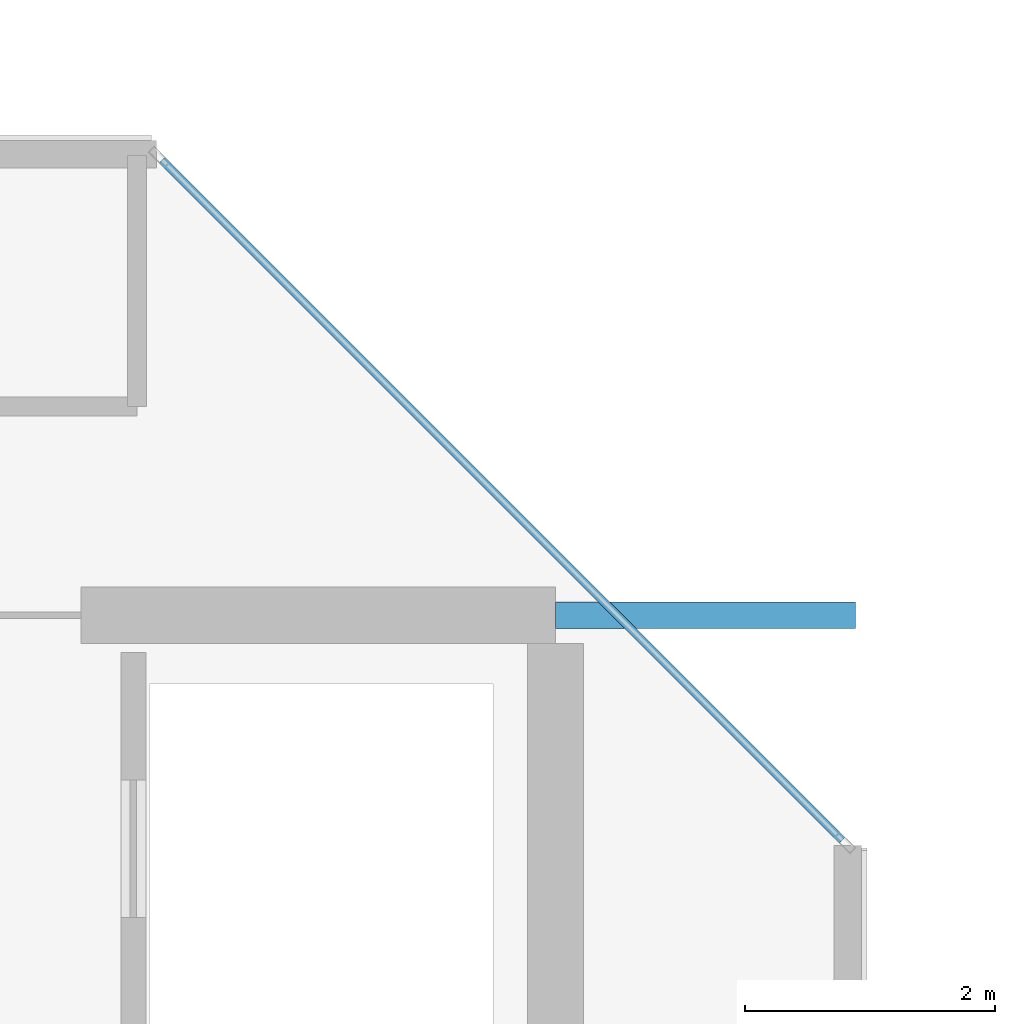
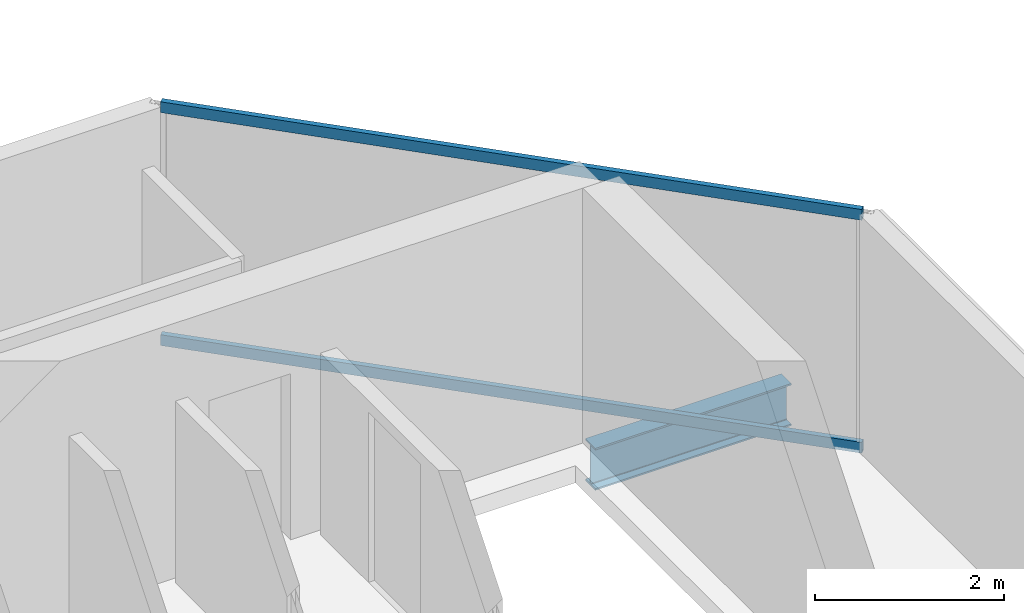
# One storey, part 6 of 29: 2 members, 1 beam, 1 element without a shape of its own.
"""IFC4 building model written with IfcOpenShell, lengths in metres."""

from ifc_helpers import new_model, si_unit, direction, frame, origin, origin_2d, place, context, subcontext, project, spatial, hollow_rectangle, i_section, extrude, material, layer, layer_set, material_profile, profile_set, type_object, element, aggregate, save


model = new_model("IFC4")

# Units and contexts
model_context = context("Model", 3, precision=1e-05, world=origin(), true_north=direction((0.0, 1.0)))
body_context = subcontext(model_context, "Body", "Model", "MODEL_VIEW")
ifc_project = project(units=[si_unit("LENGTHUNIT", "METRE"), si_unit("AREAUNIT", "SQUARE_METRE"), si_unit("VOLUMEUNIT", "CUBIC_METRE"), si_unit("PLANEANGLEUNIT", "RADIAN"), si_unit("MASSUNIT", "GRAM", prefix="KILO")], contexts=[model_context])

# Site, building, storey
site_placement = place(None, origin())
site = spatial("IfcSite", under=ifc_project, at=site_placement, CompositionType="ELEMENT")
building_placement = place(site_placement, origin())
building = spatial("IfcBuilding", under=site, at=building_placement, Name="Tanjung Sevakor Pilgrim Tower", CompositionType="ELEMENT")
storey_placement = place(building_placement, frame((0.0, 0.0, 235.949951171875)))
storey = spatial("IfcBuildingStorey", under=building, at=storey_placement, Name="L66", CompositionType="ELEMENT", Elevation=235.949951171875)

# Beam
ifc_material_1 = material(Name="Steel S355J2", Category="steel")
ifc_material_profile_1 = material_profile(ifc_material_1, i_section(OverallWidth=0.2119140625, OverallDepth=0.54443359375, WebThickness=0.0126953125, FlangeThickness=0.021240234375, FilletRadius=0.0126953125, at=origin_2d()))
ifc_profile_set_1 = profile_set([ifc_material_profile_1], Name="Steel S355J2")
beam_type = type_object("IfcBeamType", Name="BM-B-G5-UB_533x210x122", PredefinedType="BEAM", material=ifc_profile_set_1)
beam_placement = place(storey_placement, frame((36.0, 42.60009765625, -0.4921875), z_axis=(1.0, 0.0, 0.0), x_axis=(0.0, 1.0, 0.0)))
element("IfcBeam", 1, at=beam_placement, inside=storey, type_object=beam_type, Name="L66 West Peak Cantilever Girder 2", PredefinedType="BEAM", context=body_context, shape_type="SweptSolid", body=[
    extrude(i_section(OverallWidth=0.2119140625, OverallDepth=0.54443359375, WebThickness=0.0126953125, FlangeThickness=0.021240234375, FilletRadius=0.0126953125, at=origin_2d()), origin(), (0.0, 0.0, 1.0), 2.39990234375),
])

# Curtain wall, members
ifc_material_2 = material(Name="Aluminium 6063-T6 and Low-E Glass", Category="aluminium")
ifc_layer = layer(ifc_material_2, 0.179931640625)
ifc_layer_set = layer_set([ifc_layer], Name="CW-SYS-CHAM")
curtain_wall_type = type_object("IfcCurtainWallType", Name="CW-SYS-CHAM", PredefinedType="NOTDEFINED", material=ifc_layer_set)
curtain_wall_placement = place(storey_placement, origin())
curtain_wall = element("IfcCurtainWall", 2, at=curtain_wall_placement, inside=storey, type_object=curtain_wall_type, Name="L66 Curtain Wall CW-CHM-L66-WEST-3", PredefinedType="NOTDEFINED")
ifc_material_3 = material(Name="Aluminium 6063-T6", Category="aluminium")
ifc_material_profile_2 = material_profile(ifc_material_3, hollow_rectangle(XDim=0.06494140625, YDim=0.139892578125, WallThickness=0.00390625, at=origin_2d()))
ifc_profile_set_2 = profile_set([ifc_material_profile_2], Name="Aluminium 6063-T6")
member_type = type_object("IfcMemberType", Name="TYPE-CWT-1", PredefinedType="USERDEFINED", material=ifc_profile_set_2)
member_1_placement = place(storey_placement, frame((38.2939453125, 40.80029296875, 0.032470703125), z_axis=(-0.707090924819, 0.707122637198, 0.0), x_axis=(-0.707122637198, -0.707090924819, 0.0)))
member_1 = element("IfcMember", 3, at=member_1_placement, type_object=member_type, Name="CW-CHM transom 1.1", ObjectType="TRANSOM", PredefinedType="USERDEFINED", context=body_context, shape_type="SweptSolid", body=[
    extrude(hollow_rectangle(XDim=0.06494140625, YDim=0.139892578125, WallThickness=0.00390625, at=origin_2d()), origin(), (0.0, 0.0, 1.0), 7.698486328125),
])
member_2_placement = place(storey_placement, frame((38.2939453125, 40.80029296875, 3.047607421875), z_axis=(-0.707090924819, 0.707122637198, 0.0), x_axis=(-0.707122637198, -0.707090924819, 0.0)))
member_2 = element("IfcMember", 4, at=member_2_placement, type_object=member_type, Name="CW-CHM transom 1.2", ObjectType="TRANSOM", PredefinedType="USERDEFINED", context=body_context, shape_type="SweptSolid", body=[
    extrude(hollow_rectangle(XDim=0.06494140625, YDim=0.139892578125, WallThickness=0.00390625, at=origin_2d()), origin(), (0.0, 0.0, 1.0), 7.698486328125),
])
aggregate(curtain_wall, [member_1, member_2])

save(model, "model.ifc")
